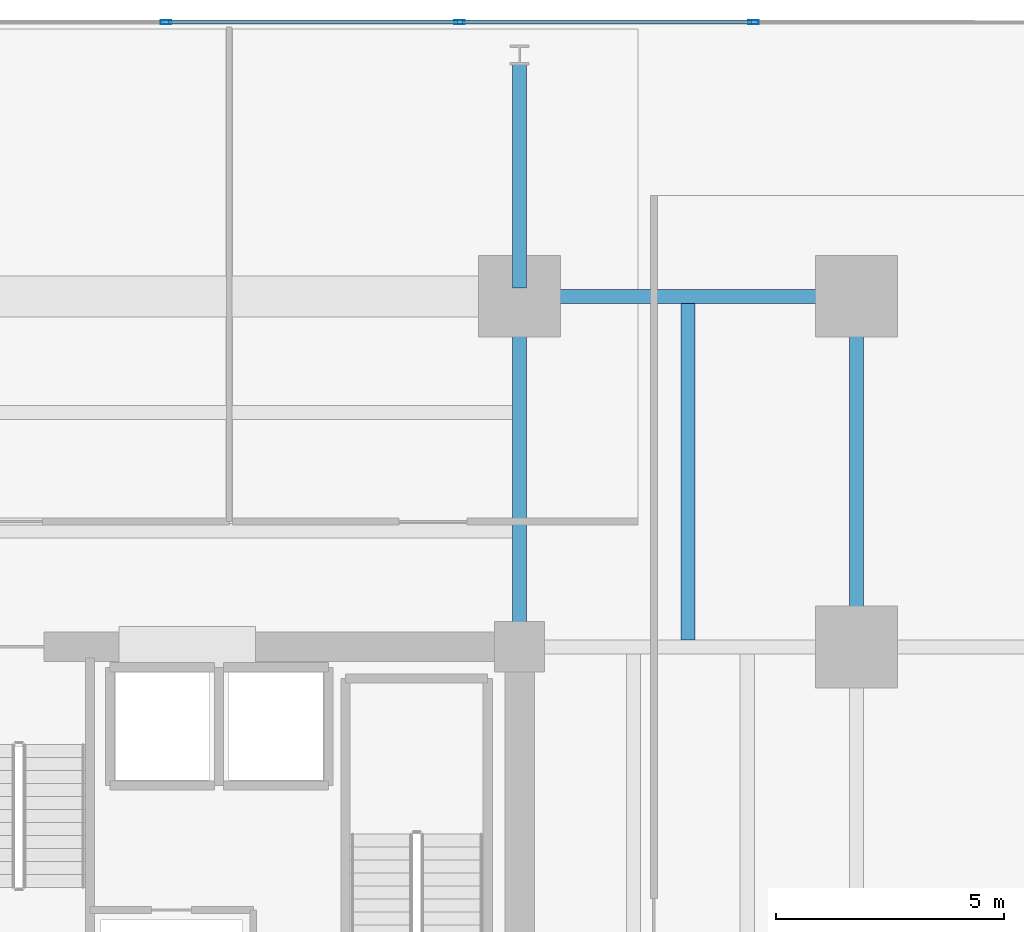
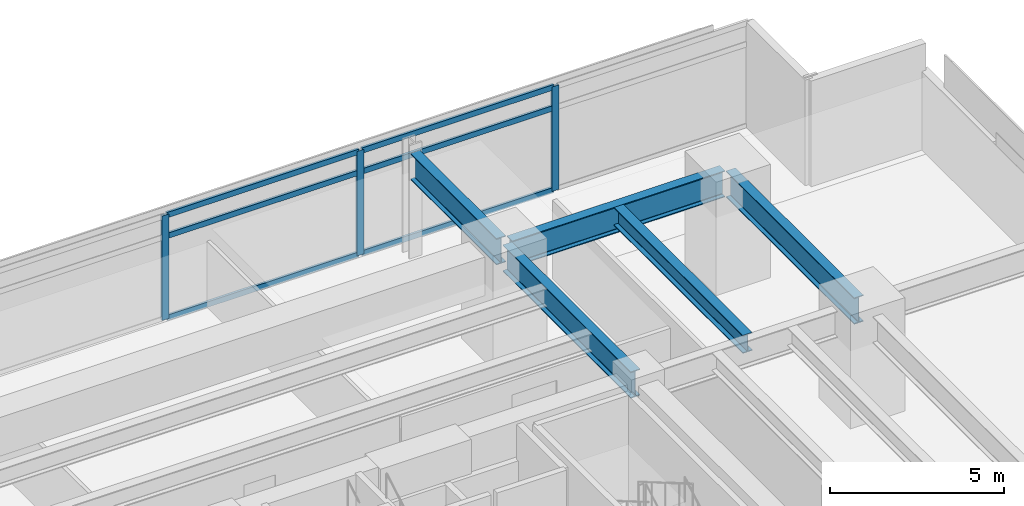
# One storey, part 11 of 23: 9 members, 5 beams, 1 element without a shape of its own.
"""IFC4 building model written with IfcOpenShell, lengths in metres."""

import ifcopenshell
import ifcopenshell.guid

model = None  # the IFC model being written
_history = None  # IfcOwnerHistory: only IFC2X3 demands one
_inside = {}  # id of a spatial element -> (the spatial element, [elements in it])
_under = {}  # id of a project, library or spatial element -> (it, [spatial elements below it])
_declared = {}  # id of a project -> (the project, [libraries it declares])
_typed = {}  # id of a type object -> (the type object, [elements of that type])
_made_of = {}  # id of a material, layer set ... -> (it, [elements and type objects made of it])


def new_model(schema):
    """Start an empty IFC model of exactly this schema.

    Asked for "IFC4X3", IfcOpenShell would pick the latest addendum, in which some entities
    have other attributes; the version numbers below select the first issue.
    IFC2X3 requires an IfcOwnerHistory on every rooted entity: one is made here for all.
    """
    global model, _history
    if schema == "IFC4X3":
        model = ifcopenshell.file(schema_version=(4, 3, 0, 0))
    else:
        model = ifcopenshell.file(schema=schema)
    _inside.clear()
    _under.clear()
    _declared.clear()
    _typed.clear()
    _made_of.clear()
    _history = None
    if model.schema == "IFC2X3":
        org = make("IfcOrganization", Name="unknown")
        user = make(
            "IfcPersonAndOrganization",
            ThePerson=make("IfcPerson", FamilyName="unknown"),
            TheOrganization=org,
        )
        app = make(
            "IfcApplication",
            ApplicationDeveloper=org,
            Version="unknown",
            ApplicationFullName="unknown",
            ApplicationIdentifier="unknown",
        )
        _history = make(
            "IfcOwnerHistory",
            OwningUser=user,
            OwningApplication=app,
            ChangeAction="ADDED",
            CreationDate=0,
        )
    return model


def make(cls, **values):
    """One entity of the class cls with the attributes given. An attribute that is None is left unset."""
    return model.create_entity(
        cls, **{name: value for name, value in values.items() if value is not None}
    )


def rooted(cls, **values):
    """An entity with a GlobalId (a new one), such as an element, a storey or a relation."""
    return make(cls, GlobalId=ifcopenshell.guid.new(), OwnerHistory=_history, **values)


def si_unit(unit_type, name, prefix=None):
    """IfcSIUnit, for example si_unit("LENGTHUNIT", "METRE", prefix="MILLI")."""
    return make("IfcSIUnit", UnitType=unit_type, Prefix=prefix, Name=name)


def assignment(units):
    """IfcUnitAssignment: the units of a project."""
    return None if units is None else make("IfcUnitAssignment", Units=units)


def point(xyz):
    """IfcCartesianPoint."""
    return None if xyz is None else make("IfcCartesianPoint", Coordinates=xyz)


def direction(xyz):
    """IfcDirection."""
    return None if xyz is None else make("IfcDirection", DirectionRatios=xyz)


def frame(location, z_axis=None, x_axis=None):
    """IfcAxis2Placement3D, a coordinate frame: its origin and axes. An axis left out is left unset."""
    return make(
        "IfcAxis2Placement3D",
        Location=point(location),
        Axis=direction(z_axis),
        RefDirection=direction(x_axis),
    )


def frame_2d(location, x_axis=None):
    """IfcAxis2Placement2D, a coordinate frame in the plane: its origin and x axis."""
    return make(
        "IfcAxis2Placement2D", Location=point(location), RefDirection=direction(x_axis)
    )


def origin():
    """The frame at (0, 0, 0) with its axes left unset."""
    return frame((0.0, 0.0, 0.0))


def origin_2d():
    """The frame at (0, 0) in the plane with its x axis left unset."""
    return frame_2d((0.0, 0.0))


def place(relative_to, where):
    """IfcLocalPlacement: puts the frame where relative to a parent placement (None: the world)."""
    return make(
        "IfcLocalPlacement", PlacementRelTo=relative_to, RelativePlacement=where
    )


def context(
    kind, dimensions, precision=None, world=None, true_north=None, identifier=None
):
    """IfcGeometricRepresentationContext, for example the 3D "Model" context."""
    return make(
        "IfcGeometricRepresentationContext",
        ContextIdentifier=identifier,
        ContextType=kind,
        CoordinateSpaceDimension=dimensions,
        Precision=precision,
        WorldCoordinateSystem=world,
        TrueNorth=true_north,
    )


def subcontext(parent, identifier, kind, view, scale=None):
    """IfcGeometricRepresentationSubContext, for example "Body" below "Model"."""
    return make(
        "IfcGeometricRepresentationSubContext",
        ContextIdentifier=identifier,
        ContextType=kind,
        ParentContext=parent,
        TargetScale=scale,
        TargetView=view,
    )


def project(units=None, contexts=None):
    """IfcProject with its units and contexts."""
    return rooted(
        "IfcProject",
        Name="project",
        RepresentationContexts=contexts,
        UnitsInContext=assignment(units),
    )


def spatial(cls, under=None, at=None, **own):
    """A site, building, storey or space (cls), placed at a placement, below another one or the project."""
    s = rooted(cls, ObjectPlacement=at, **own)
    if under is not None:
        _under.setdefault(under.id(), (under, []))[1].append(s)
    return s


def profile(cls, at=None, kind="AREA", **sizes):
    """A parametric profile (cls). Its sizes go by their IFC names, for example OverallWidth=200.0."""
    return make(cls, ProfileType=kind, Position=at, **sizes)


def hollow_rectangle(**sizes):
    """IfcRectangleHollowProfileDef."""
    return profile("IfcRectangleHollowProfileDef", **sizes)


def i_section(**sizes):
    """IfcIShapeProfileDef."""
    return profile("IfcIShapeProfileDef", **sizes)


def extrude(swept, where, along, depth):
    """IfcExtrudedAreaSolid: the profile swept, set in the frame where, extruded along a direction by depth."""
    return make(
        "IfcExtrudedAreaSolid",
        SweptArea=swept,
        Position=where,
        ExtrudedDirection=direction(along),
        Depth=depth,
    )


def shape(context_of_items, identifier, shape_type, items):
    """IfcShapeRepresentation: the items that make up one representation, for example the "Body"."""
    return make(
        "IfcShapeRepresentation",
        ContextOfItems=context_of_items,
        RepresentationIdentifier=identifier,
        RepresentationType=shape_type,
        Items=items,
    )


def material(Name=None, Category=None):
    """IfcMaterial."""
    return make("IfcMaterial", Name=Name, Category=Category)


def material_profile(
    of_material, cross_section, Name=None, Category=None, Priority=None
):
    """IfcMaterialProfile: a cross section and its material."""
    return make(
        "IfcMaterialProfile",
        Name=Name,
        Material=of_material,
        Profile=cross_section,
        Priority=Priority,
        Category=Category,
    )


def profile_set(profiles, Name=None, composite=None):
    """IfcMaterialProfileSet."""
    return make(
        "IfcMaterialProfileSet",
        Name=Name,
        MaterialProfiles=profiles,
        CompositeProfile=composite,
    )


def made_of(thing, what):
    """Note that an element or type object is made of a material, layer set ...; save() writes the relation."""
    if what is not None:
        _made_of.setdefault(what.id(), (what, []))[1].append(thing)
    return thing


def type_object(cls, material=None, **own):
    """A type object (cls), such as IfcWallType, which elements share."""
    return made_of(rooted(cls, **own), material)


def element(
    cls,
    number,
    at=None,
    inside=None,
    cuts=None,
    type_object=None,
    material=None,
    context=None,
    identifier="Body",
    shape_type=None,
    held_by="IfcProductDefinitionShape",
    body=None,
    shapes=None,
    **own,
):
    """One element of the class cls, such as IfcWall. Its Tag is "e" and its number.

    at: its placement. inside: the storey or other place that contains it. cuts: it is an
    opening in that element (IfcRelVoidsElement). A single representation is given by context,
    identifier, shape_type and body (its items); several are given by shapes. held_by: the class
    of the entity that holds the representations. save() writes the other relations.
    """
    e = rooted(cls, Tag="e%d" % number, ObjectPlacement=at, **own)
    if body is not None:
        shapes = [shape(context, identifier, shape_type, body)]
    if shapes is not None:
        e.Representation = make(held_by, Representations=shapes)
    if inside is not None:
        _inside.setdefault(inside.id(), (inside, []))[1].append(e)
    if cuts is not None:
        rooted(
            "IfcRelVoidsElement", RelatingBuildingElement=cuts, RelatedOpeningElement=e
        )
    if type_object is not None:
        _typed.setdefault(type_object.id(), (type_object, []))[1].append(e)
    return made_of(e, material)


def aggregate(whole, parts):
    """IfcRelAggregates: a whole, such as a stair, and the parts it consists of."""
    return rooted("IfcRelAggregates", RelatingObject=whole, RelatedObjects=parts)


def save(model, path):
    """Write the relations noted so far, then the file.

    IfcRelAggregates (storeys below a building ...), IfcRelContainedInSpatialStructure (elements
    in a storey), IfcRelDefinesByType, IfcRelAssociatesMaterial and IfcRelDeclares: one each for
    every whole, place, type object, material and project.
    """
    for whole, parts in _under.values():
        aggregate(whole, parts)
    for where, things in _inside.values():
        rooted(
            "IfcRelContainedInSpatialStructure",
            RelatedElements=things,
            RelatingStructure=where,
        )
    for kind, things in _typed.values():
        rooted("IfcRelDefinesByType", RelatedObjects=things, RelatingType=kind)
    for what, things in _made_of.values():
        rooted("IfcRelAssociatesMaterial", RelatedObjects=things, RelatingMaterial=what)
    for by, libraries in _declared.values():
        rooted("IfcRelDeclares", RelatingContext=by, RelatedDefinitions=libraries)
    model.write(path)


model = new_model("IFC4")

# Units and contexts
model_context = context("Model", 3, precision=1e-05, world=origin(), true_north=direction((0.0, 1.0)))
body_context = subcontext(model_context, "Body", "Model", "MODEL_VIEW")
ifc_project = project(units=[si_unit("LENGTHUNIT", "METRE"), si_unit("AREAUNIT", "SQUARE_METRE"), si_unit("VOLUMEUNIT", "CUBIC_METRE"), si_unit("PLANEANGLEUNIT", "RADIAN"), si_unit("MASSUNIT", "GRAM", prefix="KILO")], contexts=[model_context])

# Site, building, storey
site_placement = place(None, origin())
site = spatial("IfcSite", under=ifc_project, at=site_placement, CompositionType="ELEMENT")
building_placement = place(site_placement, origin())
building = spatial("IfcBuilding", under=site, at=building_placement, Name="Kovane Verandah Tower", CompositionType="ELEMENT")
storey_placement = place(building_placement, frame((0.0, 0.0, 103.60009765625)))
storey = spatial("IfcBuildingStorey", under=building, at=storey_placement, Name="L24", CompositionType="ELEMENT", Elevation=103.60009765625)

# Beams
ifc_material_1 = material(Name="Steel S460", Category="steel")
ifc_material_profile_1 = material_profile(ifc_material_1, i_section(OverallWidth=0.311279296875, OverallDepth=0.6357421875, WebThickness=0.018310546875, FlangeThickness=0.031494140625, FilletRadius=0.0166015625, at=origin_2d()), Name="UB610x305x238")
ifc_profile_set_1 = profile_set([ifc_material_profile_1], Name="Steel S460")
beam_type_1 = type_object("IfcBeamType", Name="BM-UB610x238", PredefinedType="BEAM", material=ifc_profile_set_1)
beam_1_placement = place(storey_placement, frame((54.699951171875, 36.65185546875, 3.382080078125), z_axis=(0.0, 1.0, 0.0), x_axis=(-1.0, 0.0, 0.0)))
element("IfcBeam", 1, at=beam_1_placement, inside=storey, type_object=beam_type_1, Name="L24 Secondary Composite Joist J-NE1", PredefinedType="BEAM", context=body_context, shape_type="SweptSolid", body=[
    extrude(i_section(OverallWidth=0.311279296875, OverallDepth=0.6357421875, WebThickness=0.018310546875, FlangeThickness=0.031494140625, FilletRadius=0.0166015625, at=origin_2d()), origin(), (0.0, 0.0, 1.0), 7.396240234375),
])
ifc_material_profile_2 = material_profile(ifc_material_1, i_section(OverallWidth=0.3076171875, OverallDepth=0.926513671875, WebThickness=0.01953125, FlangeThickness=0.031982421875, FilletRadius=0.01904296875, at=origin_2d()), Name="UB914x305x289")
ifc_profile_set_2 = profile_set([ifc_material_profile_2], Name="Steel S460")
beam_type_2 = type_object("IfcBeamType", Name="BM-UB914x289", PredefinedType="BEAM", material=ifc_profile_set_2)
beam_2_placement = place(storey_placement, frame((51.179931640625, 44.199951171875, 3.236572265625), z_axis=(1.0, 0.0, 0.0), x_axis=(0.0, 1.0, 0.0)))
element("IfcBeam", 2, at=beam_2_placement, inside=storey, type_object=beam_type_2, Name="L24 Primary Tower Girder G-RN3", PredefinedType="BEAM", context=body_context, shape_type="SweptSolid", body=[
    extrude(i_section(OverallWidth=0.3076171875, OverallDepth=0.926513671875, WebThickness=0.01953125, FlangeThickness=0.031982421875, FilletRadius=0.01904296875, at=origin_2d()), origin(), (0.0, 0.0, 1.0), 7.0400390625),
])
for number, where, z_axis, x_axis, name in (
    (3, (58.39990234375, 36.679931640625, 3.236572265625), (0.0, 1.0, 0.0), (-1.0, 0.0, 0.0), "L24 Primary Tower Girder G-RE3"),
    (4, (51.0, 36.679931640625, 3.236572265625), (0.0, 1.0, 0.0), (-1.0, 0.0, 0.0), "L24 Primary Tower Girder G-N2"),
):
    element("IfcBeam", number, at=place(storey_placement, frame(where, z_axis=z_axis, x_axis=x_axis)), inside=storey, type_object=beam_type_2, Name=name, PredefinedType="BEAM", context=body_context, shape_type="SweptSolid", body=[
        extrude(i_section(OverallWidth=0.3076171875, OverallDepth=0.926513671875, WebThickness=0.01953125, FlangeThickness=0.031982421875, FilletRadius=0.01904296875, at=origin_2d()), origin(), (0.0, 0.0, 1.0), 7.340087890625),
    ])
beam_3_placement = place(storey_placement, frame((51.0, 44.3798828125, 3.236572265625), z_axis=(0.0, 1.0, 0.0), x_axis=(-1.0, 0.0, 0.0)))
element("IfcBeam", 5, at=beam_3_placement, inside=storey, type_object=beam_type_2, Name="L24 Primary Tower Girder G-VN2", PredefinedType="BEAM", context=body_context, shape_type="SweptSolid", body=[
    extrude(i_section(OverallWidth=0.3076171875, OverallDepth=0.926513671875, WebThickness=0.01953125, FlangeThickness=0.031982421875, FilletRadius=0.01904296875, at=origin_2d()), origin(), (0.0, 0.0, 1.0), 4.940185546875),
])

# Curtain wall, members
ifc_material_2 = material(Name="Champagne Anodised Aluminium Frame with Low-E Clear Laminated Glass", Category="aluminium")
curtain_wall_type = type_object("IfcCurtainWallType", Name="CW-SYS-02-LOW", PredefinedType="NOTDEFINED", material=ifc_material_2)
curtain_wall_placement = place(storey_placement, origin())
curtain_wall = element("IfcCurtainWall", 6, at=curtain_wall_placement, inside=storey, type_object=curtain_wall_type, Name="L24 N Unitised Curtain Wall", PredefinedType="NOTDEFINED")
ifc_material_3 = material(Name="Champagne Anodised Aluminium 6063-T6", Category="aluminium")
ifc_material_profile_3 = material_profile(ifc_material_3, hollow_rectangle(XDim=0.0849609375, YDim=0.22998046875, WallThickness=0.00390625, at=origin_2d()), Name="AL85x230x4")
ifc_profile_set_3 = profile_set([ifc_material_profile_3], Name="Champagne Anodised Aluminium 6063-T6")
member_type_1 = type_object("IfcMemberType", Name="CW-MUL-85x230", PredefinedType="MULLION", material=ifc_profile_set_3)
member_1_placement = place(storey_placement, frame((56.141845703125, 50.218994140625, 0.02001953125), z_axis=(0.0, 0.0, 1.0), x_axis=(0.0, 1.0, 0.0)))
member_1 = element("IfcMember", 7, at=member_1_placement, type_object=member_type_1, Name="L24 N Unitised Curtain Wall Mullion 2", PredefinedType="MULLION", context=body_context, shape_type="SweptSolid", body=[
    extrude(hollow_rectangle(XDim=0.0849609375, YDim=0.22998046875, WallThickness=0.00390625, at=origin_2d()), origin(), (0.0, 0.0, 1.0), 3.659912109375),
])
member_2_placement = place(storey_placement, frame((49.68505859375, 50.218994140625, 0.02001953125), z_axis=(0.0, 0.0, 1.0), x_axis=(0.0, 1.0, 0.0)))
member_2 = element("IfcMember", 8, at=member_2_placement, type_object=member_type_1, Name="L24 N Unitised Curtain Wall Mullion 3", PredefinedType="MULLION", context=body_context, shape_type="SweptSolid", body=[
    extrude(hollow_rectangle(XDim=0.0849609375, YDim=0.22998046875, WallThickness=0.00390625, at=origin_2d()), origin(), (0.0, 0.0, 1.0), 3.659912109375),
])
member_3_placement = place(storey_placement, frame((43.228515625, 50.218994140625, 0.02001953125), z_axis=(0.0, 0.0, 1.0), x_axis=(0.0, 1.0, 0.0)))
member_3 = element("IfcMember", 9, at=member_3_placement, type_object=member_type_1, Name="L24 N Unitised Curtain Wall Mullion 4", PredefinedType="MULLION", context=body_context, shape_type="SweptSolid", body=[
    extrude(hollow_rectangle(XDim=0.0849609375, YDim=0.22998046875, WallThickness=0.00390625, at=origin_2d()), origin(), (0.0, 0.0, 1.0), 3.659912109375),
])
ifc_material_profile_4 = material_profile(ifc_material_3, hollow_rectangle(XDim=0.0849609375, YDim=0.18994140625, WallThickness=0.00390625, at=origin_2d()), Name="AL85x190x4")
ifc_profile_set_4 = profile_set([ifc_material_profile_4], Name="Champagne Anodised Aluminium 6063-T6")
member_type_2 = type_object("IfcMemberType", Name="CW-TRN-85x190", PredefinedType="USERDEFINED", material=ifc_profile_set_4)
member_4_placement = place(storey_placement, frame((56.091796875, 50.218994140625, 0.0498046875), z_axis=(-1.0, 0.0, 0.0), x_axis=(0.0, -1.0, 0.0)))
member_4 = element("IfcMember", 10, at=member_4_placement, type_object=member_type_2, Name="L24 N Unitised Curtain Wall Transom TB Bay 2", ObjectType="TRANSOM", PredefinedType="USERDEFINED", context=body_context, shape_type="SweptSolid", body=[
    extrude(hollow_rectangle(XDim=0.0849609375, YDim=0.18994140625, WallThickness=0.00390625, at=origin_2d()), origin(), (0.0, 0.0, 1.0), 6.356689453125),
])
member_5_placement = place(storey_placement, frame((56.091796875, 50.218994140625, 2.919921875), z_axis=(-1.0, 0.0, 0.0), x_axis=(0.0, -1.0, 0.0)))
member_5 = element("IfcMember", 11, at=member_5_placement, type_object=member_type_2, Name="L24 N Unitised Curtain Wall Transom TM Bay 2", ObjectType="TRANSOM", PredefinedType="USERDEFINED", context=body_context, shape_type="SweptSolid", body=[
    extrude(hollow_rectangle(XDim=0.0849609375, YDim=0.18994140625, WallThickness=0.00390625, at=origin_2d()), origin(), (0.0, 0.0, 1.0), 6.356689453125),
])
member_6_placement = place(storey_placement, frame((56.091796875, 50.218994140625, 3.64990234375), z_axis=(-1.0, 0.0, 0.0), x_axis=(0.0, -1.0, 0.0)))
member_6 = element("IfcMember", 12, at=member_6_placement, type_object=member_type_2, Name="L24 N Unitised Curtain Wall Transom TT Bay 2", ObjectType="TRANSOM", PredefinedType="USERDEFINED", context=body_context, shape_type="SweptSolid", body=[
    extrude(hollow_rectangle(XDim=0.0849609375, YDim=0.18994140625, WallThickness=0.00390625, at=origin_2d()), origin(), (0.0, 0.0, 1.0), 6.356689453125),
])
member_7_placement = place(storey_placement, frame((49.635009765625, 50.218994140625, 0.0498046875), z_axis=(-1.0, 0.0, 0.0), x_axis=(0.0, -1.0, 0.0)))
member_7 = element("IfcMember", 13, at=member_7_placement, type_object=member_type_2, Name="L24 N Unitised Curtain Wall Transom TB Bay 3", ObjectType="TRANSOM", PredefinedType="USERDEFINED", context=body_context, shape_type="SweptSolid", body=[
    extrude(hollow_rectangle(XDim=0.0849609375, YDim=0.18994140625, WallThickness=0.00390625, at=origin_2d()), origin(), (0.0, 0.0, 1.0), 6.356689453125),
])
member_8_placement = place(storey_placement, frame((49.635009765625, 50.218994140625, 2.919921875), z_axis=(-1.0, 0.0, 0.0), x_axis=(0.0, -1.0, 0.0)))
member_8 = element("IfcMember", 14, at=member_8_placement, type_object=member_type_2, Name="L24 N Unitised Curtain Wall Transom TM Bay 3", ObjectType="TRANSOM", PredefinedType="USERDEFINED", context=body_context, shape_type="SweptSolid", body=[
    extrude(hollow_rectangle(XDim=0.0849609375, YDim=0.18994140625, WallThickness=0.00390625, at=origin_2d()), origin(), (0.0, 0.0, 1.0), 6.356689453125),
])
member_9_placement = place(storey_placement, frame((49.635009765625, 50.218994140625, 3.64990234375), z_axis=(-1.0, 0.0, 0.0), x_axis=(0.0, -1.0, 0.0)))
member_9 = element("IfcMember", 15, at=member_9_placement, type_object=member_type_2, Name="L24 N Unitised Curtain Wall Transom TT Bay 3", ObjectType="TRANSOM", PredefinedType="USERDEFINED", context=body_context, shape_type="SweptSolid", body=[
    extrude(hollow_rectangle(XDim=0.0849609375, YDim=0.18994140625, WallThickness=0.00390625, at=origin_2d()), origin(), (0.0, 0.0, 1.0), 6.356689453125),
])
aggregate(curtain_wall, [member_1, member_2, member_3, member_4, member_5, member_6, member_7, member_8, member_9])

save(model, "model.ifc")
